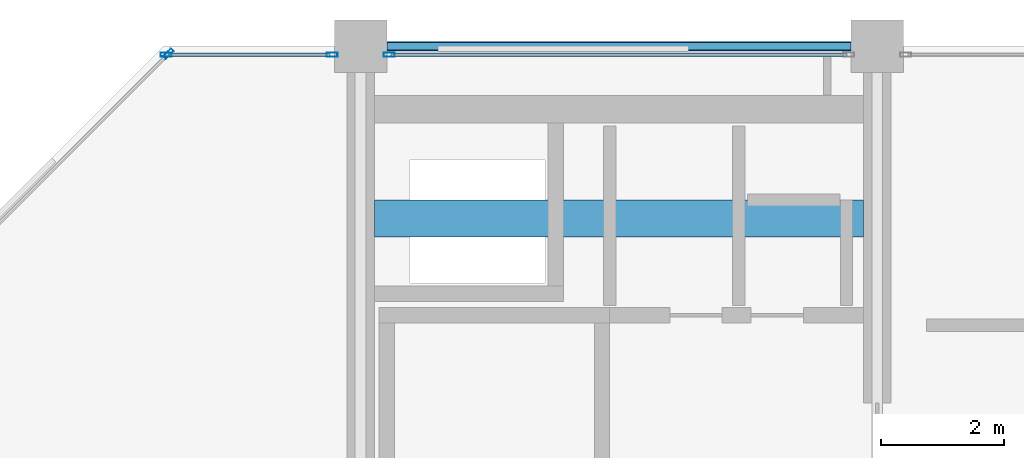
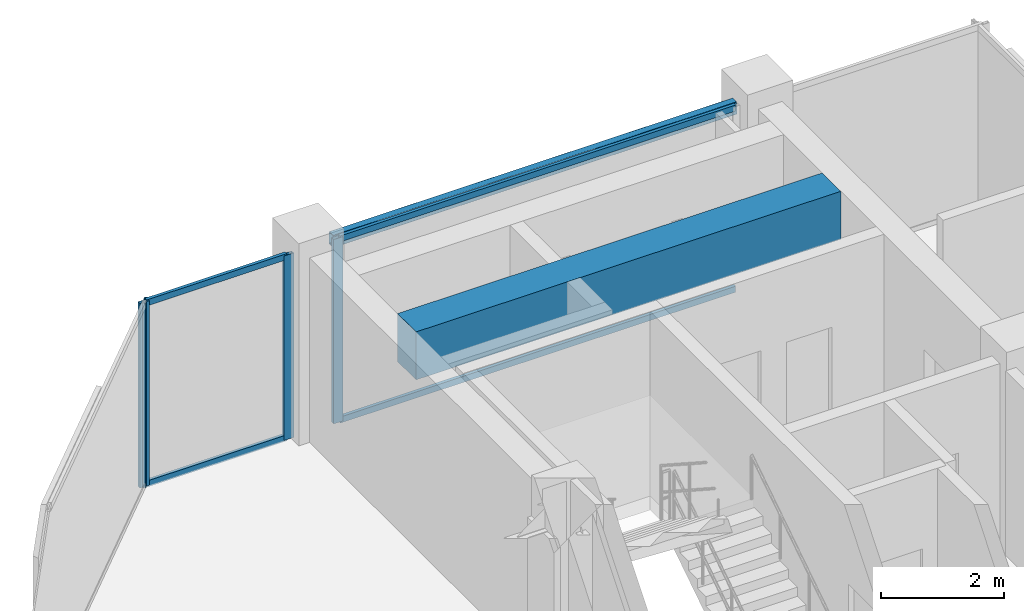
# One storey, part 18 of 26: 8 members, 2 beams, 3 elements without a shape of their own.
"""IFC4 building model written with IfcOpenShell, lengths in metres."""

from ifc_helpers import new_model, si_unit, direction, frame, origin, origin_2d, place, context, subcontext, project, spatial, rectangle, hollow_rectangle, extrude, material, layer, layer_set, material_profile, profile_set, type_object, element, aggregate, save


model = new_model("IFC4")

# Units and contexts
model_context = context("Model", 3, precision=1e-05, world=origin(), true_north=direction((0.0, 1.0)))
body_context = subcontext(model_context, "Body", "Model", "MODEL_VIEW")
ifc_project = project(units=[si_unit("LENGTHUNIT", "METRE"), si_unit("AREAUNIT", "SQUARE_METRE"), si_unit("VOLUMEUNIT", "CUBIC_METRE"), si_unit("PLANEANGLEUNIT", "RADIAN"), si_unit("MASSUNIT", "GRAM", prefix="KILO")], contexts=[model_context])

# Site, building, storey
site_placement = place(None, origin())
site = spatial("IfcSite", under=ifc_project, at=site_placement, CompositionType="ELEMENT")
building_placement = place(site_placement, origin())
building = spatial("IfcBuilding", under=site, at=building_placement, Name="Nerrivon Quay Data Exchange", CompositionType="ELEMENT")
storey_placement = place(building_placement, frame((0.0, 0.0, 282.199951171875)))
storey = spatial("IfcBuildingStorey", under=building, at=storey_placement, Name="L67", CompositionType="ELEMENT", Elevation=282.199951171875)

# Beams
ifc_material_1 = material(Name="Concrete N50 (50 MPa)", Category="concrete")
ifc_material_profile_1 = material_profile(ifc_material_1, rectangle(XDim=0.60009765625, YDim=0.949951171875, at=origin_2d()), Name="RC-CB-600x950")
ifc_profile_set_1 = profile_set([ifc_material_profile_1], Name="Concrete N50 (50 MPa)")
beam_type_1 = type_object("IfcBeamType", Name="BM-CB2-600x950", PredefinedType="LINTEL", material=ifc_profile_set_1)
beam_1_placement = place(storey_placement, frame((8.625, 39.199951171875, 3.175048828125), z_axis=(1.0, 0.0, 0.0), x_axis=(0.0, 1.0, 0.0)))
element("IfcBeam", 1, at=beam_1_placement, inside=storey, type_object=beam_type_1, Name="L67 West Core Coupling Beam", PredefinedType="LINTEL", context=body_context, shape_type="SweptSolid", body=[
    extrude(rectangle(XDim=0.60009765625, YDim=0.949951171875, at=origin_2d()), origin(), (0.0, 0.0, 1.0), 7.949951171875),
])
ifc_material_2 = material(Name="Steel Grade C350L0 (350 MPa)", Category="steel")
ifc_material_profile_2 = material_profile(ifc_material_2, hollow_rectangle(XDim=0.14990234375, YDim=0.25, WallThickness=0.009033203125, InnerFilletRadius=0.013427734375, OuterFilletRadius=0.0224609375, at=origin_2d()), Name="250x150x9.0RHS")
ifc_profile_set_2 = profile_set([ifc_material_profile_2], Name="Steel Grade C350L0 (350 MPa)")
beam_type_2 = type_object("IfcBeamType", Name="BM-SP4-250x150RHS", PredefinedType="SPANDREL", material=ifc_profile_set_2)
beam_2_placement = place(storey_placement, frame((8.824951171875, 42.0, 3.525146484375), z_axis=(1.0, 0.0, 0.0), x_axis=(0.0, 1.0, 0.0)))
element("IfcBeam", 2, at=beam_2_placement, inside=storey, type_object=beam_type_2, Name="L67 EW Girder Y=42.0 (8.4..16.8)", PredefinedType="SPANDREL", context=body_context, shape_type="SweptSolid", body=[
    extrude(hollow_rectangle(XDim=0.14990234375, YDim=0.25, WallThickness=0.009033203125, InnerFilletRadius=0.013427734375, OuterFilletRadius=0.0224609375, at=origin_2d()), origin(), (0.0, 0.0, 1.0), 7.550048828125),
])

# Curtain wall, member
ifc_material_3 = material(Name="Anodised aluminium 6063-T6", Category="aluminium")
ifc_layer = layer(ifc_material_3, 0.195068359375)
ifc_layer_set = layer_set([ifc_layer], Name="Anodised aluminium 6063-T6")
curtain_wall_type = type_object("IfcCurtainWallType", Name="CW-SYS-06", PredefinedType="NOTDEFINED", material=ifc_layer_set)
curtain_wall_1_placement = place(storey_placement, origin())
curtain_wall_1 = element("IfcCurtainWall", 3, at=curtain_wall_1_placement, inside=storey, type_object=curtain_wall_type, Name="L67 Unitised Curtain Wall 16", PredefinedType="NOTDEFINED")
ifc_material_profile_3 = material_profile(ifc_material_3, hollow_rectangle(XDim=0.06494140625, YDim=0.179931640625, WallThickness=0.00341796875, at=origin_2d()), Name="ALU-MULL-180x65")
ifc_profile_set_3 = profile_set([ifc_material_profile_3], Name="Anodised aluminium 6063-T6")
member_type_1 = type_object("IfcMemberType", Name="CWM-180x65", PredefinedType="MULLION", material=ifc_profile_set_3)
member_1_placement = place(storey_placement, frame((5.2724609375, 41.87451171875, 0.0), z_axis=(0.0, 0.0, 1.0), x_axis=(-0.707106781187, 0.707106781187, 0.0)))
member_1 = element("IfcMember", 4, at=member_1_placement, type_object=member_type_1, Name="CW06 mullion 2", PredefinedType="MULLION", context=body_context, shape_type="SweptSolid", body=[
    extrude(hollow_rectangle(XDim=0.06494140625, YDim=0.179931640625, WallThickness=0.00341796875, at=origin_2d()), origin(), (0.0, 0.0, 1.0), 3.650146484375),
])
aggregate(curtain_wall_1, [member_1])

# Curtain wall, members
curtain_wall_2_placement = place(storey_placement, origin())
curtain_wall_2 = element("IfcCurtainWall", 5, at=curtain_wall_2_placement, inside=storey, type_object=curtain_wall_type, Name="L67 Unitised Curtain Wall 17", PredefinedType="NOTDEFINED")
member_2_placement = place(storey_placement, frame((5.237548828125, 41.860107421875, 0.0), z_axis=(0.0, 0.0, 1.0), x_axis=(0.0, 1.0, 0.0)))
member_2 = element("IfcMember", 6, at=member_2_placement, type_object=member_type_1, Name="CW06 mullion 1", PredefinedType="MULLION", context=body_context, shape_type="SweptSolid", body=[
    extrude(hollow_rectangle(XDim=0.06494140625, YDim=0.179931640625, WallThickness=0.00341796875, at=origin_2d()), origin(), (0.0, 0.0, 1.0), 3.650146484375),
])
member_3_placement = place(storey_placement, frame((7.9375, 41.860107421875, 0.0), z_axis=(0.0, 0.0, 1.0), x_axis=(0.0, 1.0, 0.0)))
member_3 = element("IfcMember", 7, at=member_3_placement, type_object=member_type_1, Name="CW06 mullion 2", PredefinedType="MULLION", context=body_context, shape_type="SweptSolid", body=[
    extrude(hollow_rectangle(XDim=0.06494140625, YDim=0.179931640625, WallThickness=0.00341796875, at=origin_2d()), origin(), (0.0, 0.0, 1.0), 3.650146484375),
])

# Curtain wall, member
curtain_wall_3_placement = place(storey_placement, origin())
curtain_wall_3 = element("IfcCurtainWall", 8, at=curtain_wall_3_placement, inside=storey, type_object=curtain_wall_type, Name="L67 Unitised Curtain Wall 18", PredefinedType="NOTDEFINED")
member_4_placement = place(storey_placement, frame((8.862548828125, 41.860107421875, 0.0), z_axis=(0.0, 0.0, 1.0), x_axis=(0.0, 1.0, 0.0)))
member_4 = element("IfcMember", 9, at=member_4_placement, type_object=member_type_1, Name="CW06 mullion 1", PredefinedType="MULLION", context=body_context, shape_type="SweptSolid", body=[
    extrude(hollow_rectangle(XDim=0.06494140625, YDim=0.179931640625, WallThickness=0.00341796875, at=origin_2d()), origin(), (0.0, 0.0, 1.0), 3.650146484375),
])

# Member
ifc_material_profile_4 = material_profile(ifc_material_3, hollow_rectangle(XDim=0.06005859375, YDim=0.1201171875, WallThickness=0.003173828125, at=origin_2d()), Name="ALU-TRAN-120x60")
ifc_profile_set_4 = profile_set([ifc_material_profile_4], Name="Anodised aluminium 6063-T6")
member_type_2 = type_object("IfcMemberType", Name="CWT-120x60", PredefinedType="USERDEFINED", material=ifc_profile_set_4)
member_5_placement = place(storey_placement, frame((5.27490234375, 41.860107421875, 0.032470703125), z_axis=(1.0, 0.0, 0.0), x_axis=(0.0, 1.0, 0.0)))
member_5 = element("IfcMember", 10, at=member_5_placement, type_object=member_type_2, Name="CW06 transom 1.1", ObjectType="TRANSOM", PredefinedType="USERDEFINED", context=body_context, shape_type="SweptSolid", body=[
    extrude(hollow_rectangle(XDim=0.06005859375, YDim=0.1201171875, WallThickness=0.003173828125, at=origin_2d()), origin(), (0.0, 0.0, 1.0), 2.625),
])

member_6_placement = place(storey_placement, frame((5.27490234375, 41.860107421875, 3.617431640625), z_axis=(1.0, 0.0, 0.0), x_axis=(0.0, 1.0, 0.0)))
member_6 = element("IfcMember", 11, at=member_6_placement, type_object=member_type_2, Name="CW06 transom 1.2", ObjectType="TRANSOM", PredefinedType="USERDEFINED", context=body_context, shape_type="SweptSolid", body=[
    extrude(hollow_rectangle(XDim=0.06005859375, YDim=0.1201171875, WallThickness=0.003173828125, at=origin_2d()), origin(), (0.0, 0.0, 1.0), 2.625),
])

aggregate(curtain_wall_2, [member_2, member_3, member_5, member_6])

member_7_placement = place(storey_placement, frame((8.89990234375, 41.860107421875, 0.032470703125), z_axis=(1.0, 0.0, 0.0), x_axis=(0.0, 1.0, 0.0)))
member_7 = element("IfcMember", 12, at=member_7_placement, type_object=member_type_2, Name="CW06 transom 1.1", ObjectType="TRANSOM", PredefinedType="USERDEFINED", context=body_context, shape_type="SweptSolid", body=[
    extrude(hollow_rectangle(XDim=0.06005859375, YDim=0.1201171875, WallThickness=0.003173828125, at=origin_2d()), origin(), (0.0, 0.0, 1.0), 7.400146484375),
])

member_8_placement = place(storey_placement, frame((8.89990234375, 41.860107421875, 3.617431640625), z_axis=(1.0, 0.0, 0.0), x_axis=(0.0, 1.0, 0.0)))
member_8 = element("IfcMember", 13, at=member_8_placement, type_object=member_type_2, Name="CW06 transom 1.2", ObjectType="TRANSOM", PredefinedType="USERDEFINED", context=body_context, shape_type="SweptSolid", body=[
    extrude(hollow_rectangle(XDim=0.06005859375, YDim=0.1201171875, WallThickness=0.003173828125, at=origin_2d()), origin(), (0.0, 0.0, 1.0), 7.400146484375),
])

aggregate(curtain_wall_3, [member_4, member_7, member_8])

save(model, "model.ifc")
